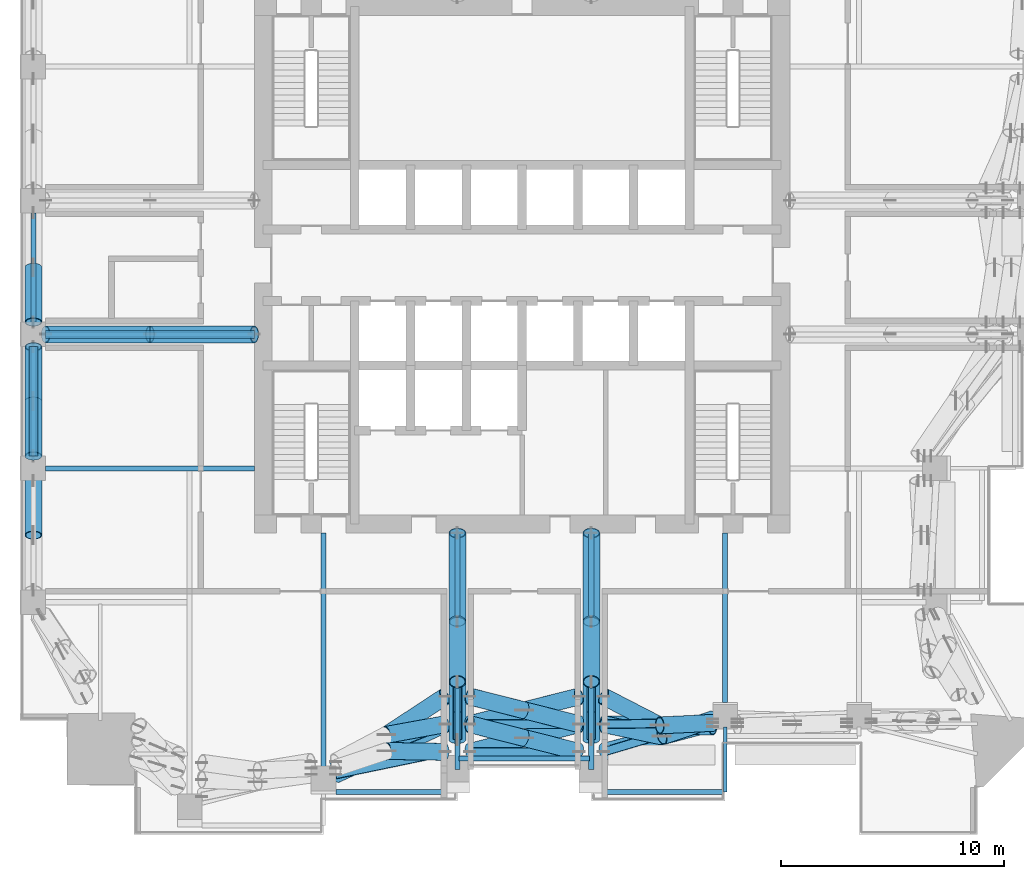
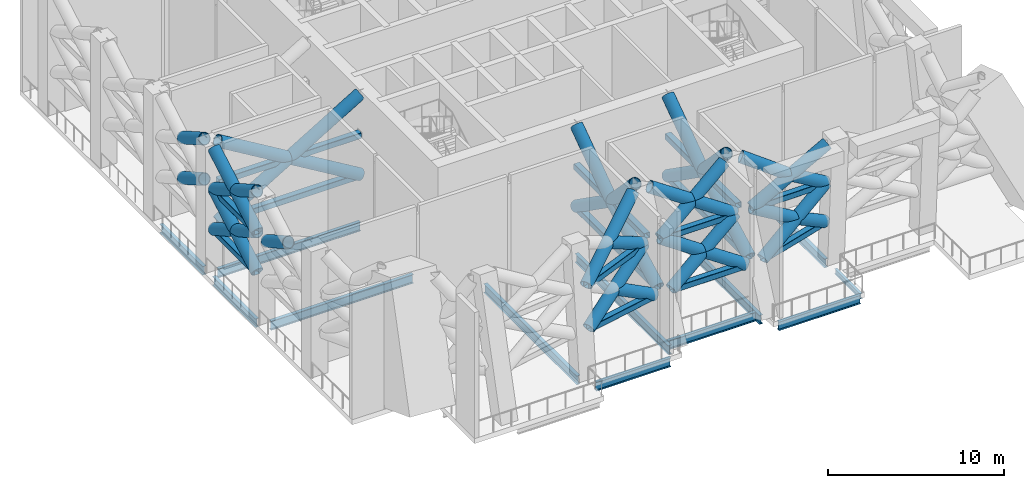
# One storey, part 2 of 19: 37 members, 26 beams.
"""IFC4 building model written with IfcOpenShell, lengths in metres."""

from ifc_helpers import new_model, si_unit, direction, frame, origin, origin_2d, place, context, subcontext, project, spatial, hollow_rectangle, hollow_circle, i_section, extrude, material, material_profile, profile_set, type_object, element, save


model = new_model("IFC4")

# Units and contexts
model_context = context("Model", 3, precision=1e-05, world=origin(), true_north=direction((0.0, 1.0)))
body_context = subcontext(model_context, "Body", "Model", "MODEL_VIEW")
ifc_project = project(units=[si_unit("LENGTHUNIT", "METRE"), si_unit("AREAUNIT", "SQUARE_METRE"), si_unit("VOLUMEUNIT", "CUBIC_METRE"), si_unit("PLANEANGLEUNIT", "RADIAN"), si_unit("MASSUNIT", "GRAM", prefix="KILO")], contexts=[model_context])

# Site, building, storey
site_placement = place(None, origin())
site = spatial("IfcSite", under=ifc_project, at=site_placement, CompositionType="ELEMENT")
building_placement = place(site_placement, origin())
building = spatial("IfcBuilding", under=site, at=building_placement, Name="Amberfall Residences", CompositionType="ELEMENT")
storey_placement = place(building_placement, frame((0.0, 0.0, 124.89990234375)))
storey = spatial("IfcBuildingStorey", under=building, at=storey_placement, Name="L34", CompositionType="ELEMENT", Elevation=124.89990234375)

# Beams
ifc_material = material(Name="Steel S355", Category="steel")
ifc_material_profile_1 = material_profile(ifc_material, hollow_rectangle(XDim=0.39990234375, YDim=0.39990234375, WallThickness=0.02001953125, InnerFilletRadius=0.02001953125, OuterFilletRadius=0.030029296875, at=origin_2d()), Name="RHS 400x400x20")
ifc_profile_set_1 = profile_set([ifc_material_profile_1], Name="Steel S355")
beam_type_1 = type_object("IfcBeamType", Name="Belt truss chord BT RHS 400x400x20", PredefinedType="BEAM", material=ifc_profile_set_1)
beam_1_placement = place(storey_placement, frame((66.14990234375, 22.678466796875, 2.900146484375), z_axis=(0.979237381813, 0.202716921002, 0.0), x_axis=(-0.202716921002, 0.979237381813, 0.0)))
element("IfcBeam", 1, at=beam_1_placement, inside=storey, type_object=beam_type_1, Name="Belt truss chord BT3 L34 S2", PredefinedType="BEAM", context=body_context, shape_type="SweptSolid", body=[
    extrude(hollow_rectangle(XDim=0.39990234375, YDim=0.39990234375, WallThickness=0.02001953125, InnerFilletRadius=0.02001953125, OuterFilletRadius=0.030029296875, at=origin_2d()), origin(), (0.0, 0.0, 1.0), 5.004150390625),
])
beam_2_placement = place(storey_placement, frame((66.14990234375, 22.96630859375, 5.7001953125), z_axis=(0.927908077969, 0.372809064857, 0.0), x_axis=(-0.372809064857, 0.927908077969, 0.0)))
element("IfcBeam", 2, at=beam_2_placement, inside=storey, type_object=beam_type_1, Name="Belt truss chord BT3 L34 S2m", PredefinedType="BEAM", context=body_context, shape_type="SweptSolid", body=[
    extrude(hollow_rectangle(XDim=0.39990234375, YDim=0.39990234375, WallThickness=0.02001953125, InnerFilletRadius=0.02001953125, OuterFilletRadius=0.030029296875, at=origin_2d()), origin(), (0.0, 0.0, 1.0), 5.28076171875),
])
for number, where, z_axis, x_axis, name in (
    (3, (72.14990234375, 23.69287109375, 2.900146484375), (1.0, 0.0, 0.0), (0.0, 1.0, 0.0), "Belt truss chord BT3 L34 S3"),
    (4, (72.14990234375, 24.93505859375, 5.7001953125), (1.0, 0.0, 0.0), (0.0, 1.0, 0.0), "Belt truss chord BT3 L34 S3m"),
):
    element("IfcBeam", number, at=place(storey_placement, frame(where, z_axis=z_axis, x_axis=x_axis)), inside=storey, type_object=beam_type_1, Name=name, PredefinedType="BEAM", context=body_context, shape_type="SweptSolid", body=[
        extrude(hollow_rectangle(XDim=0.39990234375, YDim=0.39990234375, WallThickness=0.02001953125, InnerFilletRadius=0.02001953125, OuterFilletRadius=0.030029296875, at=origin_2d()), origin(), (0.0, 0.0, 1.0), 4.900146484375),
    ])
beam_3_placement = place(storey_placement, frame((78.14990234375, 23.69287109375, 2.900146484375), z_axis=(0.95801394022, 0.286721625176, 0.0), x_axis=(-0.286721625176, 0.95801394022, 0.0)))
element("IfcBeam", 5, at=beam_3_placement, inside=storey, type_object=beam_type_1, Name="Belt truss chord BT3 L34 S4", PredefinedType="BEAM", context=body_context, shape_type="SweptSolid", body=[
    extrude(hollow_rectangle(XDim=0.39990234375, YDim=0.39990234375, WallThickness=0.02001953125, InnerFilletRadius=0.02001953125, OuterFilletRadius=0.030029296875, at=origin_2d()), origin(), (0.0, 0.0, 1.0), 5.114990234375),
])
beam_4_placement = place(storey_placement, frame((78.14990234375, 24.93505859375, 5.7001953125), z_axis=(0.999928516156, 0.011956695923, 0.0), x_axis=(-0.011956695923, 0.999928516156, 0.0)))
element("IfcBeam", 6, at=beam_4_placement, inside=storey, type_object=beam_type_1, Name="Belt truss chord BT3 L34 S4m", PredefinedType="BEAM", context=body_context, shape_type="SweptSolid", body=[
    extrude(hollow_rectangle(XDim=0.39990234375, YDim=0.39990234375, WallThickness=0.02001953125, InnerFilletRadius=0.02001953125, OuterFilletRadius=0.030029296875, at=origin_2d()), origin(), (0.0, 0.0, 1.0), 4.900390625),
])
for number, where, z_axis, x_axis, name in (
    (7, (52.60009765625, 36.949951171875, 2.900146484375), (0.0, 1.0, 0.0), (-1.0, 0.0, 0.0), "Belt truss chord BT3 L34 W2"),
    (8, (52.60009765625, 36.949951171875, 5.7001953125), (0.0, 1.0, 0.0), (-1.0, 0.0, 0.0), "Belt truss chord BT3 L34 W2m"),
):
    element("IfcBeam", number, at=place(storey_placement, frame(where, z_axis=z_axis, x_axis=x_axis)), inside=storey, type_object=beam_type_1, Name=name, PredefinedType="BEAM", context=body_context, shape_type="SweptSolid", body=[
        extrude(hollow_rectangle(XDim=0.39990234375, YDim=0.39990234375, WallThickness=0.02001953125, InnerFilletRadius=0.02001953125, OuterFilletRadius=0.030029296875, at=origin_2d()), origin(), (0.0, 0.0, 1.0), 4.900146484375),
    ])

# Members
ifc_material_profile_2 = material_profile(ifc_material, hollow_circle(Radius=0.381103515625, WallThickness=0.0400390625, at=origin_2d()), Name="CHS 762x40")
ifc_profile_set_2 = profile_set([ifc_material_profile_2], Name="Steel S355")
member_type_1 = type_object("IfcMemberType", Name="Belt truss diagonal BT CHS 762x40", PredefinedType="BRACE", material=ifc_profile_set_2)
member_1_placement = place(storey_placement, frame((66.14990234375, 22.678466796875, 2.900146484375), z_axis=(0.806190361482, 0.371262892291, 0.460674468429), x_axis=(-0.418291784152, 0.908312712292, 0.0)))
element("IfcMember", 9, at=member_1_placement, inside=storey, type_object=member_type_1, Name="Belt truss diagonal BT4 L34 S2d", PredefinedType="BRACE", context=body_context, shape_type="SweptSolid", body=[
    extrude(hollow_circle(Radius=0.381103515625, WallThickness=0.0400390625, at=origin_2d()), origin(), (0.0, 0.0, 1.0), 6.078125),
])
member_2_placement = place(storey_placement, frame((68.440185546875, 23.733154296875, 4.208740234375), z_axis=(0.893839813655, -0.013796404982, -0.448174125462), x_axis=(0.01543314769, 0.999880901884, 0.0)))
element("IfcMember", 10, at=member_2_placement, inside=storey, type_object=member_type_1, Name="Belt truss diagonal BT4 L34 S2e2", PredefinedType="BRACE", context=body_context, shape_type="SweptSolid", body=[
    extrude(hollow_circle(Radius=0.381103515625, WallThickness=0.0400390625, at=origin_2d()), origin(), (0.0, 0.0, 1.0), 2.919921875),
])
member_3_placement = place(storey_placement, frame((66.14990234375, 22.96630859375, 5.7001953125), z_axis=(0.754682813708, 0.494486257938, 0.431204349938), x_axis=(-0.548056420423, 0.836441366764, 0.0)))
element("IfcMember", 11, at=member_3_placement, inside=storey, type_object=member_type_1, Name="Belt truss diagonal BT4 L34 S2du", PredefinedType="BRACE", context=body_context, shape_type="SweptSolid", body=[
    extrude(hollow_circle(Radius=0.381103515625, WallThickness=0.0400390625, at=origin_2d()), origin(), (0.0, 0.0, 1.0), 6.492919921875),
])
member_4_placement = place(storey_placement, frame((68.423828125, 24.456298828125, 6.99951171875), z_axis=(0.884571897569, 0.161257366471, -0.437639828843), x_axis=(-0.179344159348, 0.983786395773, 0.0)))
element("IfcMember", 12, at=member_4_placement, inside=storey, type_object=member_type_1, Name="Belt truss diagonal BT4 L34 S2e2u", PredefinedType="BRACE", context=body_context, shape_type="SweptSolid", body=[
    extrude(hollow_circle(Radius=0.381103515625, WallThickness=0.0400390625, at=origin_2d()), origin(), (0.0, 0.0, 1.0), 2.968994140625),
])
member_5_placement = place(storey_placement, frame((72.14990234375, 23.69287109375, 2.900146484375), z_axis=(0.847949595887, 0.214955285929, 0.484536590864), x_axis=(-0.245727495972, 0.969338948832, 0.0)))
element("IfcMember", 13, at=member_5_placement, inside=storey, type_object=member_type_1, Name="Belt truss diagonal BT4 L34 S3d", PredefinedType="BRACE", context=body_context, shape_type="SweptSolid", body=[
    extrude(hollow_circle(Radius=0.381103515625, WallThickness=0.0400390625, at=origin_2d()), origin(), (0.0, 0.0, 1.0), 5.77880859375),
])
member_6_placement = place(storey_placement, frame((72.14990234375, 24.93505859375, 5.7001953125), z_axis=(0.847944108873, -0.214943185828, -0.48455156082), x_axis=(0.245715992833, 0.969341864806, 0.0)))
element("IfcMember", 14, at=member_6_placement, inside=storey, type_object=member_type_1, Name="Belt truss diagonal BT4 L34 S3e", PredefinedType="BRACE", context=body_context, shape_type="SweptSolid", body=[
    extrude(hollow_circle(Radius=0.381103515625, WallThickness=0.0400390625, at=origin_2d()), origin(), (0.0, 0.0, 1.0), 2.8896484375),
])
member_7_placement = place(storey_placement, frame((74.60009765625, 24.31396484375, 4.300048828125), z_axis=(0.847955083179, -0.214967387305, -0.484521619028), x_axis=(0.245739000154, 0.969336032449, 0.0)))
element("IfcMember", 15, at=member_7_placement, inside=storey, type_object=member_type_1, Name="Belt truss diagonal BT4 L34 S3e2", PredefinedType="BRACE", context=body_context, shape_type="SweptSolid", body=[
    extrude(hollow_circle(Radius=0.381103515625, WallThickness=0.0400390625, at=origin_2d()), origin(), (0.0, 0.0, 1.0), 2.88916015625),
])
member_8_placement = place(storey_placement, frame((72.14990234375, 24.93505859375, 5.7001953125), z_axis=(0.847974653908, 0.214919389389, 0.484508660805), x_axis=(-0.245682115845, 0.969350451567, 0.0)))
element("IfcMember", 16, at=member_8_placement, inside=storey, type_object=member_type_1, Name="Belt truss diagonal BT4 L34 S3du", PredefinedType="BRACE", context=body_context, shape_type="SweptSolid", body=[
    extrude(hollow_circle(Radius=0.381103515625, WallThickness=0.0400390625, at=origin_2d()), origin(), (0.0, 0.0, 1.0), 5.778564453125),
])
member_9_placement = place(storey_placement, frame((72.14990234375, 26.177001953125, 8.5), z_axis=(0.847994221169, -0.214871393427, -0.484495701891), x_axis=(0.245625234666, 0.969364866341, 0.0)))
element("IfcMember", 17, at=member_9_placement, inside=storey, type_object=member_type_1, Name="Belt truss diagonal BT4 L34 S3eu", PredefinedType="BRACE", context=body_context, shape_type="SweptSolid", body=[
    extrude(hollow_circle(Radius=0.381103515625, WallThickness=0.0400390625, at=origin_2d()), origin(), (0.0, 0.0, 1.0), 2.889404296875),
])
member_10_placement = place(storey_placement, frame((74.60009765625, 25.55615234375, 7.10009765625), z_axis=(0.847955083179, -0.214967387305, -0.484521619028), x_axis=(0.245739000154, 0.969336032449, 0.0)))
element("IfcMember", 18, at=member_10_placement, inside=storey, type_object=member_type_1, Name="Belt truss diagonal BT4 L34 S3e2u", PredefinedType="BRACE", context=body_context, shape_type="SweptSolid", body=[
    extrude(hollow_circle(Radius=0.381103515625, WallThickness=0.0400390625, at=origin_2d()), origin(), (0.0, 0.0, 1.0), 2.88916015625),
])
member_11_placement = place(storey_placement, frame((78.14990234375, 23.69287109375, 2.900146484375), z_axis=(0.846064193918, 0.224594191879, 0.48345923173), x_axis=(-0.256571498763, 0.966525253691, 0.0)))
element("IfcMember", 19, at=member_11_placement, inside=storey, type_object=member_type_1, Name="Belt truss diagonal BT4 L34 S4d", PredefinedType="BRACE", context=body_context, shape_type="SweptSolid", body=[
    extrude(hollow_circle(Radius=0.381103515625, WallThickness=0.0400390625, at=origin_2d()), origin(), (0.0, 0.0, 1.0), 5.791748046875),
])
member_12_placement = place(storey_placement, frame((78.14990234375, 24.93505859375, 5.7001953125), z_axis=(0.879034526479, -0.18452826803, -0.439599385299), x_axis=(0.205443676217, 0.97866894091, 0.0)))
element("IfcMember", 20, at=member_12_placement, inside=storey, type_object=member_type_1, Name="Belt truss diagonal BT4 L34 S4e", PredefinedType="BRACE", context=body_context, shape_type="SweptSolid", body=[
    extrude(hollow_circle(Radius=0.381103515625, WallThickness=0.0400390625, at=origin_2d()), origin(), (0.0, 0.0, 1.0), 2.972900390625),
])
member_13_placement = place(storey_placement, frame((80.76318359375, 24.386474609375, 4.393310546875), z_axis=(0.805676773369, 0.272314792835, -0.526050939033), x_axis=(-0.320199673814, 0.947350077263, 0.0)))
element("IfcMember", 21, at=member_13_placement, inside=storey, type_object=member_type_1, Name="Belt truss diagonal BT4 L34 S4e2", PredefinedType="BRACE", context=body_context, shape_type="SweptSolid", body=[
    extrude(hollow_circle(Radius=0.381103515625, WallThickness=0.0400390625, at=origin_2d()), origin(), (0.0, 0.0, 1.0), 2.83837890625),
])
member_14_placement = place(storey_placement, frame((78.14990234375, 24.93505859375, 5.7001953125), z_axis=(0.868107193911, -0.01903079893, 0.496011823017), x_axis=(0.021916910473, 0.999759795669, 0.0)))
element("IfcMember", 22, at=member_14_placement, inside=storey, type_object=member_type_1, Name="Belt truss diagonal BT4 L34 S4du", PredefinedType="BRACE", context=body_context, shape_type="SweptSolid", body=[
    extrude(hollow_circle(Radius=0.381103515625, WallThickness=0.0400390625, at=origin_2d()), origin(), (0.0, 0.0, 1.0), 5.64453125),
])
member_15_placement = place(storey_placement, frame((78.14990234375, 26.177001953125, 8.5), z_axis=(0.801331734421, -0.412746049925, -0.433022112231), x_axis=(0.457902926245, 0.889002199174, 0.0)))
element("IfcMember", 23, at=member_15_placement, inside=storey, type_object=member_type_1, Name="Belt truss diagonal BT4 L34 S4eu", PredefinedType="BRACE", context=body_context, shape_type="SweptSolid", body=[
    extrude(hollow_circle(Radius=0.381103515625, WallThickness=0.0400390625, at=origin_2d()), origin(), (0.0, 0.0, 1.0), 3.142578125),
])
member_16_placement = place(storey_placement, frame((80.668212890625, 24.8798828125, 7.13916015625), z_axis=(0.855210816233, 0.040849553133, -0.516667953145), x_axis=(-0.047711081273, 0.998861177904, 0.0)))
element("IfcMember", 24, at=member_16_placement, inside=storey, type_object=member_type_1, Name="Belt truss diagonal BT4 L34 S4e2u", PredefinedType="BRACE", context=body_context, shape_type="SweptSolid", body=[
    extrude(hollow_circle(Radius=0.381103515625, WallThickness=0.0400390625, at=origin_2d()), origin(), (0.0, 0.0, 1.0), 2.78515625),
])
member_17_placement = place(storey_placement, frame((52.60009765625, 33.39990234375, 7.10009765625), z_axis=(0.0, 0.868275084713, -0.49608303465), x_axis=(-1.0, 0.0, 0.0)))
element("IfcMember", 25, at=member_17_placement, inside=storey, type_object=member_type_1, Name="Belt truss diagonal BT4 L34 W1e2u", PredefinedType="BRACE", context=body_context, shape_type="SweptSolid", body=[
    extrude(hollow_circle(Radius=0.381103515625, WallThickness=0.0400390625, at=origin_2d()), origin(), (0.0, 0.0, 1.0), 2.822021484375),
])
member_18_placement = place(storey_placement, frame((52.60009765625, 36.949951171875, 2.900146484375), z_axis=(0.0, 0.868245804187, 0.496134279718), x_axis=(-1.0, 0.0, 0.0)))
element("IfcMember", 26, at=member_18_placement, inside=storey, type_object=member_type_1, Name="Belt truss diagonal BT4 L34 W2d", PredefinedType="BRACE", context=body_context, shape_type="SweptSolid", body=[
    extrude(hollow_circle(Radius=0.381103515625, WallThickness=0.0400390625, at=origin_2d()), origin(), (0.0, 0.0, 1.0), 5.643798828125),
])
member_19_placement = place(storey_placement, frame((52.60009765625, 36.949951171875, 5.7001953125), z_axis=(0.0, 0.868216519694, -0.496185524708), x_axis=(-1.0, 0.0, 0.0)))
element("IfcMember", 27, at=member_19_placement, inside=storey, type_object=member_type_1, Name="Belt truss diagonal BT4 L34 W2e", PredefinedType="BRACE", context=body_context, shape_type="SweptSolid", body=[
    extrude(hollow_circle(Radius=0.381103515625, WallThickness=0.0400390625, at=origin_2d()), origin(), (0.0, 0.0, 1.0), 2.82177734375),
])
member_20_placement = place(storey_placement, frame((52.60009765625, 39.39990234375, 4.300048828125), z_axis=(0.0, 0.868275084713, -0.49608303465), x_axis=(-1.0, 0.0, 0.0)))
element("IfcMember", 28, at=member_20_placement, inside=storey, type_object=member_type_1, Name="Belt truss diagonal BT4 L34 W2e2", PredefinedType="BRACE", context=body_context, shape_type="SweptSolid", body=[
    extrude(hollow_circle(Radius=0.381103515625, WallThickness=0.0400390625, at=origin_2d()), origin(), (0.0, 0.0, 1.0), 2.822021484375),
])
member_21_placement = place(storey_placement, frame((52.60009765625, 36.949951171875, 5.7001953125), z_axis=(0.0, 0.868264438383, 0.496101668047), x_axis=(-1.0, 0.0, 0.0)))
element("IfcMember", 29, at=member_21_placement, inside=storey, type_object=member_type_1, Name="Belt truss diagonal BT4 L34 W2du", PredefinedType="BRACE", context=body_context, shape_type="SweptSolid", body=[
    extrude(hollow_circle(Radius=0.381103515625, WallThickness=0.0400390625, at=origin_2d()), origin(), (0.0, 0.0, 1.0), 5.6435546875),
])
member_22_placement = place(storey_placement, frame((52.60009765625, 36.949951171875, 8.5), z_axis=(0.0, 0.868253790854, -0.496120302616), x_axis=(-1.0, 0.0, 0.0)))
element("IfcMember", 30, at=member_22_placement, inside=storey, type_object=member_type_1, Name="Belt truss diagonal BT4 L34 W2eu", PredefinedType="BRACE", context=body_context, shape_type="SweptSolid", body=[
    extrude(hollow_circle(Radius=0.381103515625, WallThickness=0.0400390625, at=origin_2d()), origin(), (0.0, 0.0, 1.0), 2.82177734375),
])
member_23_placement = place(storey_placement, frame((52.60009765625, 39.39990234375, 7.10009765625), z_axis=(0.0, 0.868275084713, -0.49608303465), x_axis=(-1.0, 0.0, 0.0)))
element("IfcMember", 31, at=member_23_placement, inside=storey, type_object=member_type_1, Name="Belt truss diagonal BT4 L34 W2e2u", PredefinedType="BRACE", context=body_context, shape_type="SweptSolid", body=[
    extrude(hollow_circle(Radius=0.381103515625, WallThickness=0.0400390625, at=origin_2d()), origin(), (0.0, 0.0, 1.0), 2.822021484375),
])
for number, where, z_axis, x_axis, name in (
    (32, (52.60009765625, 42.949951171875, 5.7001953125), (0.0, 0.868216519694, -0.496185524708), (-1.0, 0.0, 0.0), "Belt truss diagonal BT4 L34 W3e"),
    (33, (52.60009765625, 42.949951171875, 8.5), (0.0, 0.868253790854, -0.496120302616), (-1.0, 0.0, 0.0), "Belt truss diagonal BT4 L34 W3eu"),
):
    element("IfcMember", number, at=place(storey_placement, frame(where, z_axis=z_axis, x_axis=x_axis)), inside=storey, type_object=member_type_1, Name=name, PredefinedType="BRACE", context=body_context, shape_type="SweptSolid", body=[
        extrude(hollow_circle(Radius=0.381103515625, WallThickness=0.0400390625, at=origin_2d()), origin(), (0.0, 0.0, 1.0), 2.82177734375),
    ])

# Beams
ifc_material_profile_3 = material_profile(ifc_material, i_section(OverallWidth=0.171142578125, OverallDepth=0.351318359375, WebThickness=0.007080078125, FlangeThickness=0.009765625, FilletRadius=0.01025390625, at=origin_2d()), Name="UB 356x171x45")
ifc_profile_set_3 = profile_set([ifc_material_profile_3], Name="Steel S355")
beam_type_2 = type_object("IfcBeamType", Name="Cantilever girder UB 356x171x45", PredefinedType="BEAM", material=ifc_profile_set_3)
beam_5_placement = place(storey_placement, frame((83.60009765625, 24.800048828125, -0.525634765625), z_axis=(0.0, -1.0, 0.0), x_axis=(1.0, 0.0, 0.0)))
element("IfcBeam", 34, at=beam_5_placement, inside=storey, type_object=beam_type_2, Name="Cantilever girder B8 L34 07", PredefinedType="BEAM", context=body_context, shape_type="SweptSolid", body=[
    extrude(i_section(OverallWidth=0.171142578125, OverallDepth=0.351318359375, WebThickness=0.007080078125, FlangeThickness=0.009765625, FilletRadius=0.01025390625, at=origin_2d()), origin(), (0.0, 0.0, 1.0), 2.900146484375),
])
ifc_material_profile_4 = material_profile(ifc_material, i_section(OverallWidth=0.228271484375, OverallDepth=0.607666015625, WebThickness=0.010986328125, FlangeThickness=0.017333984375, FilletRadius=0.0126953125, at=origin_2d()), Name="UB 610x229x113")
ifc_profile_set_4 = profile_set([ifc_material_profile_4], Name="Steel S355")
beam_type_3 = type_object("IfcBeamType", Name="Edge beam UB 610x229x113", PredefinedType="SPANDREL", material=ifc_profile_set_4)
beam_6_placement = place(storey_placement, frame((66.14990234375, 21.89990234375, -0.65380859375), z_axis=(1.0, 0.0, 0.0), x_axis=(0.0, 1.0, 0.0)))
element("IfcBeam", 35, at=beam_6_placement, inside=storey, type_object=beam_type_3, Name="Edge beam B12 L34 02", PredefinedType="SPANDREL", context=body_context, shape_type="SweptSolid", body=[
    extrude(i_section(OverallWidth=0.228271484375, OverallDepth=0.607666015625, WebThickness=0.010986328125, FlangeThickness=0.017333984375, FilletRadius=0.0126953125, at=origin_2d()), origin(), (0.0, 0.0, 1.0), 4.900146484375),
])
beam_7_placement = place(storey_placement, frame((71.679931640625, 23.39990234375, -0.65380859375), z_axis=(1.0, 0.0, 0.0), x_axis=(0.0, 1.0, 0.0)))
element("IfcBeam", 36, at=beam_7_placement, inside=storey, type_object=beam_type_3, Name="Edge beam B12 L34 03", PredefinedType="SPANDREL", context=body_context, shape_type="SweptSolid", body=[
    extrude(i_section(OverallWidth=0.228271484375, OverallDepth=0.607666015625, WebThickness=0.010986328125, FlangeThickness=0.017333984375, FilletRadius=0.0126953125, at=origin_2d()), origin(), (0.0, 0.0, 1.0), 5.840087890625),
])
beam_8_placement = place(storey_placement, frame((78.14990234375, 21.89990234375, -0.65380859375), z_axis=(1.0, 0.0, 0.0), x_axis=(0.0, 1.0, 0.0)))
element("IfcBeam", 37, at=beam_8_placement, inside=storey, type_object=beam_type_3, Name="Edge beam B12 L34 04", PredefinedType="SPANDREL", context=body_context, shape_type="SweptSolid", body=[
    extrude(i_section(OverallWidth=0.228271484375, OverallDepth=0.607666015625, WebThickness=0.010986328125, FlangeThickness=0.017333984375, FilletRadius=0.0126953125, at=origin_2d()), origin(), (0.0, 0.0, 1.0), 5.3701171875),
])
for number, where, z_axis, x_axis, name in (
    (38, (52.60009765625, 36.949951171875, -0.65380859375), (0.0, 1.0, 0.0), (-1.0, 0.0, 0.0), "Edge beam B12 L34 41"),
    (39, (52.60009765625, 42.949951171875, -0.65380859375), (0.0, 1.0, 0.0), (-1.0, 0.0, 0.0), "Edge beam B12 L34 42"),
):
    element("IfcBeam", number, at=place(storey_placement, frame(where, z_axis=z_axis, x_axis=x_axis)), inside=storey, type_object=beam_type_3, Name=name, PredefinedType="SPANDREL", context=body_context, shape_type="SweptSolid", body=[
        extrude(i_section(OverallWidth=0.228271484375, OverallDepth=0.607666015625, WebThickness=0.010986328125, FlangeThickness=0.017333984375, FilletRadius=0.0126953125, at=origin_2d()), origin(), (0.0, 0.0, 1.0), 4.900146484375),
    ])
ifc_material_profile_5 = material_profile(ifc_material, i_section(OverallWidth=0.230224609375, OverallDepth=0.6171875, WebThickness=0.01318359375, FlangeThickness=0.022216796875, FilletRadius=0.0126953125, at=origin_2d()), Name="UB 610x229x140")
ifc_profile_set_5 = profile_set([ifc_material_profile_5], Name="Steel S355")
beam_type_4 = type_object("IfcBeamType", Name="Floor girder UB 610x229x140", PredefinedType="BEAM", material=ifc_profile_set_5)
for number, where, z_axis, x_axis, name in (
    (40, (65.60009765625, 22.89990234375, -0.658447265625), (0.0, 1.0, 0.0), (-1.0, 0.0, 0.0), "Floor girder B13 L34 10"),
    (41, (71.60009765625, 22.89990234375, -0.658447265625), (0.0, 1.0, 0.0), (-1.0, 0.0, 0.0), "Floor girder B13 L34 11"),
    (42, (77.60009765625, 22.89990234375, -0.658447265625), (0.0, 1.0, 0.0), (-1.0, 0.0, 0.0), "Floor girder B13 L34 12"),
):
    element("IfcBeam", number, at=place(storey_placement, frame(where, z_axis=z_axis, x_axis=x_axis)), inside=storey, type_object=beam_type_4, Name=name, PredefinedType="BEAM", context=body_context, shape_type="SweptSolid", body=[
        extrude(i_section(OverallWidth=0.230224609375, OverallDepth=0.6171875, WebThickness=0.01318359375, FlangeThickness=0.022216796875, FilletRadius=0.0126953125, at=origin_2d()), origin(), (0.0, 0.0, 1.0), 10.60009765625),
    ])
beam_9_placement = place(storey_placement, frame((83.60009765625, 25.89990234375, -0.658447265625), z_axis=(0.0, 1.0, 0.0), x_axis=(-1.0, 0.0, 0.0)))
element("IfcBeam", 43, at=beam_9_placement, inside=storey, type_object=beam_type_4, Name="Floor girder B13 L34 13", PredefinedType="BEAM", context=body_context, shape_type="SweptSolid", body=[
    extrude(i_section(OverallWidth=0.230224609375, OverallDepth=0.6171875, WebThickness=0.01318359375, FlangeThickness=0.022216796875, FilletRadius=0.0126953125, at=origin_2d()), origin(), (0.0, 0.0, 1.0), 7.60009765625),
])
for number, where, z_axis, x_axis, name in (
    (44, (53.14990234375, 36.39990234375, -0.658447265625), (1.0, 0.0, 0.0), (0.0, 1.0, 0.0), "Floor girder B13 L34 46"),
    (45, (53.14990234375, 42.39990234375, -0.658447265625), (1.0, 0.0, 0.0), (0.0, 1.0, 0.0), "Floor girder B13 L34 47"),
):
    element("IfcBeam", number, at=place(storey_placement, frame(where, z_axis=z_axis, x_axis=x_axis)), inside=storey, type_object=beam_type_4, Name=name, PredefinedType="BEAM", context=body_context, shape_type="SweptSolid", body=[
        extrude(i_section(OverallWidth=0.230224609375, OverallDepth=0.6171875, WebThickness=0.01318359375, FlangeThickness=0.022216796875, FilletRadius=0.0126953125, at=origin_2d()), origin(), (0.0, 0.0, 1.0), 9.35009765625),
    ])
ifc_material_profile_6 = material_profile(ifc_material, hollow_rectangle(XDim=0.39990234375, YDim=0.39990234375, WallThickness=0.02001953125, InnerFilletRadius=0.02001953125, OuterFilletRadius=0.030029296875, at=origin_2d()), Name="RHS 400x400x20")
ifc_profile_set_6 = profile_set([ifc_material_profile_6], Name="Steel S355")
beam_type_5 = type_object("IfcBeamType", Name="Outrigger truss chord OT RHS 400x400x20", PredefinedType="BEAM", material=ifc_profile_set_6)
beam_10_placement = place(storey_placement, frame((71.60009765625, 24.242919921875, 2.900146484375), z_axis=(0.0, 1.0, 0.0), x_axis=(-1.0, 0.0, 0.0)))
element("IfcBeam", 46, at=beam_10_placement, inside=storey, type_object=beam_type_5, Name="Outrigger truss chord OT2 L34 1", PredefinedType="BEAM", context=body_context, shape_type="SweptSolid", body=[
    extrude(hollow_rectangle(XDim=0.39990234375, YDim=0.39990234375, WallThickness=0.02001953125, InnerFilletRadius=0.02001953125, OuterFilletRadius=0.030029296875, at=origin_2d()), origin(), (0.0, 0.0, 1.0), 9.257080078125),
])
beam_11_placement = place(storey_placement, frame((71.60009765625, 25.48486328125, 5.7001953125), z_axis=(0.0, 1.0, 0.0), x_axis=(-1.0, 0.0, 0.0)))
element("IfcBeam", 47, at=beam_11_placement, inside=storey, type_object=beam_type_5, Name="Outrigger truss chord OT2 L34 1m", PredefinedType="BEAM", context=body_context, shape_type="SweptSolid", body=[
    extrude(hollow_rectangle(XDim=0.39990234375, YDim=0.39990234375, WallThickness=0.02001953125, InnerFilletRadius=0.02001953125, OuterFilletRadius=0.030029296875, at=origin_2d()), origin(), (0.0, 0.0, 1.0), 8.01513671875),
])
beam_12_placement = place(storey_placement, frame((77.60009765625, 24.242919921875, 2.900146484375), z_axis=(0.0, 1.0, 0.0), x_axis=(-1.0, 0.0, 0.0)))
element("IfcBeam", 48, at=beam_12_placement, inside=storey, type_object=beam_type_5, Name="Outrigger truss chord OT2 L34 2", PredefinedType="BEAM", context=body_context, shape_type="SweptSolid", body=[
    extrude(hollow_rectangle(XDim=0.39990234375, YDim=0.39990234375, WallThickness=0.02001953125, InnerFilletRadius=0.02001953125, OuterFilletRadius=0.030029296875, at=origin_2d()), origin(), (0.0, 0.0, 1.0), 9.257080078125),
])
beam_13_placement = place(storey_placement, frame((77.60009765625, 25.48486328125, 5.7001953125), z_axis=(0.0, 1.0, 0.0), x_axis=(-1.0, 0.0, 0.0)))
element("IfcBeam", 49, at=beam_13_placement, inside=storey, type_object=beam_type_5, Name="Outrigger truss chord OT2 L34 2m", PredefinedType="BEAM", context=body_context, shape_type="SweptSolid", body=[
    extrude(hollow_rectangle(XDim=0.39990234375, YDim=0.39990234375, WallThickness=0.02001953125, InnerFilletRadius=0.02001953125, OuterFilletRadius=0.030029296875, at=origin_2d()), origin(), (0.0, 0.0, 1.0), 8.01513671875),
])
for number, where, z_axis, x_axis, name in (
    (50, (53.14990234375, 42.39990234375, 2.900146484375), (1.0, 0.0, 0.0), (0.0, 1.0, 0.0), "Outrigger truss chord OT2 L34 5"),
    (51, (53.14990234375, 42.39990234375, 5.7001953125), (1.0, 0.0, 0.0), (0.0, 1.0, 0.0), "Outrigger truss chord OT2 L34 5m"),
):
    element("IfcBeam", number, at=place(storey_placement, frame(where, z_axis=z_axis, x_axis=x_axis)), inside=storey, type_object=beam_type_5, Name=name, PredefinedType="BEAM", context=body_context, shape_type="SweptSolid", body=[
        extrude(hollow_rectangle(XDim=0.39990234375, YDim=0.39990234375, WallThickness=0.02001953125, InnerFilletRadius=0.02001953125, OuterFilletRadius=0.030029296875, at=origin_2d()), origin(), (0.0, 0.0, 1.0), 9.35009765625),
    ])

# Members
ifc_material_profile_7 = material_profile(ifc_material, hollow_circle(Radius=0.381103515625, WallThickness=0.0400390625, at=origin_2d()), Name="CHS 762x40")
ifc_profile_set_7 = profile_set([ifc_material_profile_7], Name="Steel S355")
member_type_2 = type_object("IfcMemberType", Name="Outrigger truss diagonal OT CHS 762x40", PredefinedType="BRACE", material=ifc_profile_set_7)
member_24_placement = place(storey_placement, frame((71.60009765625, 24.242919921875, 2.900146484375), z_axis=(0.0, 0.883361106241, 0.468693029584), x_axis=(-1.0, 0.0, 0.0)))
element("IfcMember", 52, at=member_24_placement, inside=storey, type_object=member_type_2, Name="Outrigger truss diagonal OT3 L34 1.1", PredefinedType="BRACE", context=body_context, shape_type="SweptSolid", body=[
    extrude(hollow_circle(Radius=0.381103515625, WallThickness=0.0400390625, at=origin_2d()), origin(), (0.0, 0.0, 1.0), 5.97412109375),
])
member_25_placement = place(storey_placement, frame((71.60009765625, 29.520263671875, 5.7001953125), z_axis=(0.0, 0.817855391673, -0.575423807564), x_axis=(-1.0, 0.0, 0.0)))
element("IfcMember", 53, at=member_25_placement, inside=storey, type_object=member_type_2, Name="Outrigger truss diagonal OT3 L34 1.2", PredefinedType="BRACE", context=body_context, shape_type="SweptSolid", body=[
    extrude(hollow_circle(Radius=0.381103515625, WallThickness=0.0400390625, at=origin_2d()), origin(), (0.0, 0.0, 1.0), 4.865966796875),
])
member_26_placement = place(storey_placement, frame((71.60009765625, 26.838134765625, 8.5), z_axis=(0.0, 0.691768587322, -0.722119257183), x_axis=(-1.0, 0.0, 0.0)))
element("IfcMember", 54, at=member_26_placement, inside=storey, type_object=member_type_2, Name="Outrigger truss diagonal OT3 L34 1.1u", PredefinedType="BRACE", context=body_context, shape_type="SweptSolid", body=[
    extrude(hollow_circle(Radius=0.381103515625, WallThickness=0.0400390625, at=origin_2d()), origin(), (0.0, 0.0, 1.0), 3.877197265625),
])
member_27_placement = place(storey_placement, frame((71.60009765625, 29.520263671875, 5.7001953125), z_axis=(0.0, 0.817879003332, 0.575390246623), x_axis=(-1.0, 0.0, 0.0)))
element("IfcMember", 55, at=member_27_placement, inside=storey, type_object=member_type_2, Name="Outrigger truss diagonal OT3 L34 1.2u", PredefinedType="BRACE", context=body_context, shape_type="SweptSolid", body=[
    extrude(hollow_circle(Radius=0.381103515625, WallThickness=0.0400390625, at=origin_2d()), origin(), (0.0, 0.0, 1.0), 4.865966796875),
])
member_28_placement = place(storey_placement, frame((77.60009765625, 24.242919921875, 2.900146484375), z_axis=(0.0, 0.883361106241, 0.468693029584), x_axis=(-1.0, 0.0, 0.0)))
element("IfcMember", 56, at=member_28_placement, inside=storey, type_object=member_type_2, Name="Outrigger truss diagonal OT3 L34 2.1", PredefinedType="BRACE", context=body_context, shape_type="SweptSolid", body=[
    extrude(hollow_circle(Radius=0.381103515625, WallThickness=0.0400390625, at=origin_2d()), origin(), (0.0, 0.0, 1.0), 5.97412109375),
])
member_29_placement = place(storey_placement, frame((77.60009765625, 29.520263671875, 5.7001953125), z_axis=(0.0, 0.817855391673, -0.575423807564), x_axis=(-1.0, 0.0, 0.0)))
element("IfcMember", 57, at=member_29_placement, inside=storey, type_object=member_type_2, Name="Outrigger truss diagonal OT3 L34 2.2", PredefinedType="BRACE", context=body_context, shape_type="SweptSolid", body=[
    extrude(hollow_circle(Radius=0.381103515625, WallThickness=0.0400390625, at=origin_2d()), origin(), (0.0, 0.0, 1.0), 4.865966796875),
])
member_30_placement = place(storey_placement, frame((77.60009765625, 26.838134765625, 8.5), z_axis=(0.0, 0.691768587322, -0.722119257183), x_axis=(-1.0, 0.0, 0.0)))
element("IfcMember", 58, at=member_30_placement, inside=storey, type_object=member_type_2, Name="Outrigger truss diagonal OT3 L34 2.1u", PredefinedType="BRACE", context=body_context, shape_type="SweptSolid", body=[
    extrude(hollow_circle(Radius=0.381103515625, WallThickness=0.0400390625, at=origin_2d()), origin(), (0.0, 0.0, 1.0), 3.877197265625),
])
member_31_placement = place(storey_placement, frame((77.60009765625, 29.520263671875, 5.7001953125), z_axis=(0.0, 0.817879003332, 0.575390246623), x_axis=(-1.0, 0.0, 0.0)))
element("IfcMember", 59, at=member_31_placement, inside=storey, type_object=member_type_2, Name="Outrigger truss diagonal OT3 L34 2.2u", PredefinedType="BRACE", context=body_context, shape_type="SweptSolid", body=[
    extrude(hollow_circle(Radius=0.381103515625, WallThickness=0.0400390625, at=origin_2d()), origin(), (0.0, 0.0, 1.0), 4.865966796875),
])
for number, where, z_axis, x_axis, name in (
    (60, (53.14990234375, 42.39990234375, 2.900146484375), (0.857895872099, 0.0, 0.513823581237), (0.0, 1.0, 0.0), "Outrigger truss diagonal OT3 L34 5.1"),
    (61, (57.824951171875, 42.39990234375, 5.7001953125), (0.857895872099, 0.0, -0.513823581237), (0.0, 1.0, 0.0), "Outrigger truss diagonal OT3 L34 5.2"),
):
    element("IfcMember", number, at=place(storey_placement, frame(where, z_axis=z_axis, x_axis=x_axis)), inside=storey, type_object=member_type_2, Name=name, PredefinedType="BRACE", context=body_context, shape_type="SweptSolid", body=[
        extrude(hollow_circle(Radius=0.381103515625, WallThickness=0.0400390625, at=origin_2d()), origin(), (0.0, 0.0, 1.0), 5.449462890625),
    ])
for number, where, z_axis, x_axis, name in (
    (62, (53.14990234375, 42.39990234375, 8.5), (0.857915620555, 0.0, -0.513790607161), (0.0, 1.0, 0.0), "Outrigger truss diagonal OT3 L34 5.1u"),
    (63, (57.824951171875, 42.39990234375, 5.7001953125), (0.857915620555, 0.0, 0.513790607161), (0.0, 1.0, 0.0), "Outrigger truss diagonal OT3 L34 5.2u"),
):
    element("IfcMember", number, at=place(storey_placement, frame(where, z_axis=z_axis, x_axis=x_axis)), inside=storey, type_object=member_type_2, Name=name, PredefinedType="BRACE", context=body_context, shape_type="SweptSolid", body=[
        extrude(hollow_circle(Radius=0.381103515625, WallThickness=0.0400390625, at=origin_2d()), origin(), (0.0, 0.0, 1.0), 5.44921875),
    ])

save(model, "model.ifc")
